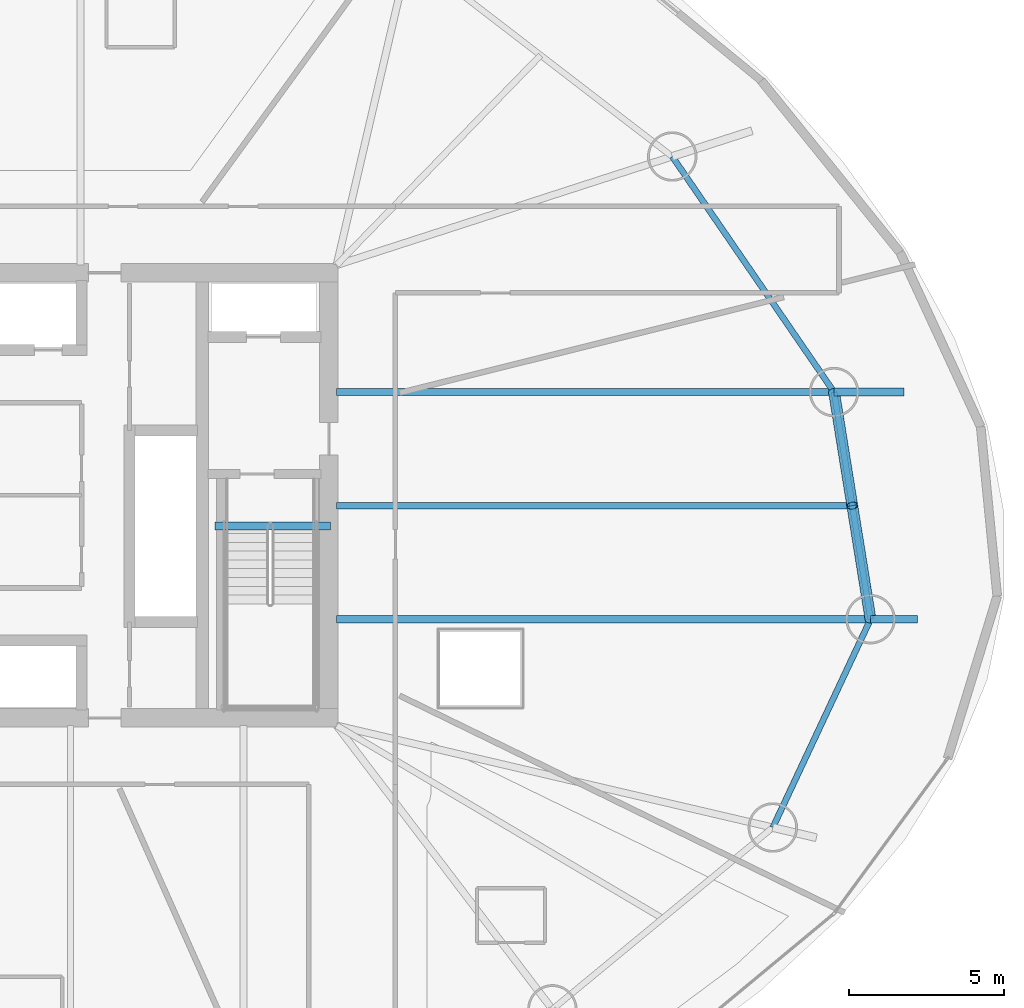
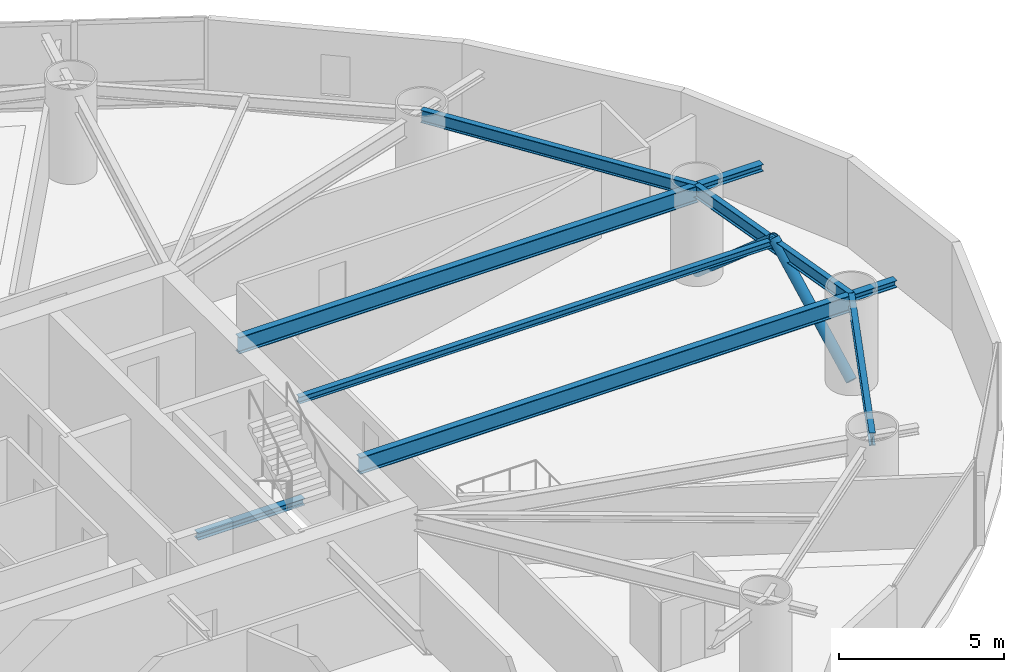
# One storey, part 9 of 20: 9 beams, 2 members.
"""IFC4 building model written with IfcOpenShell, lengths in metres."""

from ifc_helpers import new_model, si_unit, direction, frame, origin, origin_2d, place, context, subcontext, project, spatial, hollow_circle, i_section, extrude, material, material_profile, profile_set, type_object, element, save


model = new_model("IFC4")

# Units and contexts
model_context = context("Model", 3, precision=1e-05, world=origin(), true_north=direction((0.0, 1.0)))
body_context = subcontext(model_context, "Body", "Model", "MODEL_VIEW")
ifc_project = project(units=[si_unit("LENGTHUNIT", "METRE"), si_unit("AREAUNIT", "SQUARE_METRE"), si_unit("VOLUMEUNIT", "CUBIC_METRE"), si_unit("PLANEANGLEUNIT", "RADIAN"), si_unit("MASSUNIT", "GRAM", prefix="KILO")], contexts=[model_context])

# Site, building, storey
site_placement = place(None, origin())
site = spatial("IfcSite", under=ifc_project, at=site_placement, CompositionType="ELEMENT")
building_placement = place(site_placement, origin())
building = spatial("IfcBuilding", under=site, at=building_placement, Name="Bramvorn Convention Spire", CompositionType="ELEMENT")
storey_placement = place(building_placement, frame((0.0, 0.0, 58.89990234375)))
storey = spatial("IfcBuildingStorey", under=building, at=storey_placement, Name="L12", CompositionType="ELEMENT", Elevation=58.89990234375)

# Beams
ifc_material = material(Name="Steel CSA G40.21 Grade 350 (350W)", Category="steel")
ifc_material_profile_1 = material_profile(ifc_material, i_section(OverallWidth=0.201904296875, OverallDepth=0.2470703125, WebThickness=0.00732421875, FlangeThickness=0.010986328125, FilletRadius=0.011962890625, at=origin_2d()))
ifc_profile_set_1 = profile_set([ifc_material_profile_1], Name="Steel CSA G40.21 Grade 350 (350W) - W250X49")
beam_type_1 = type_object("IfcBeamType", Name="BM-W250X49", PredefinedType="JOIST", material=ifc_profile_set_1)
beam_1_placement = place(storey_placement, frame((49.25, 25.666015625, 3.126708984375), z_axis=(1.0, 0.0, 0.0), x_axis=(0.0, 1.0, 0.0)))
element("IfcBeam", 1, at=beam_1_placement, inside=storey, type_object=beam_type_1, Name="L12 composite floor joist 01", PredefinedType="JOIST", context=body_context, shape_type="SweptSolid", body=[
    extrude(i_section(OverallWidth=0.201904296875, OverallDepth=0.2470703125, WebThickness=0.00732421875, FlangeThickness=0.010986328125, FilletRadius=0.011962890625, at=origin_2d()), origin(), (0.0, 0.0, 1.0), 16.67919921875),
])
ifc_material_profile_2 = material_profile(ifc_material, i_section(OverallWidth=0.25390625, OverallDepth=0.2529296875, WebThickness=0.008544921875, FlangeThickness=0.01416015625, FilletRadius=0.011962890625, at=origin_2d()))
ifc_profile_set_2 = profile_set([ifc_material_profile_2], Name="Steel CSA G40.21 Grade 350 (350W) - W250X73")
beam_type_2 = type_object("IfcBeamType", Name="BM-W250X73", PredefinedType="BEAM", material=ifc_profile_set_2)
beam_2_placement = place(storey_placement, frame((66.519775390625, 21.99169921875, 3.12353515625), z_axis=(1.0, 0.0, 0.0), x_axis=(0.0, 1.0, 0.0)))
element("IfcBeam", 2, at=beam_2_placement, inside=storey, type_object=beam_type_2, Name="L12 slab-edge cantilever tip beam MC01", PredefinedType="BEAM", context=body_context, shape_type="SweptSolid", body=[
    extrude(i_section(OverallWidth=0.25390625, OverallDepth=0.2529296875, WebThickness=0.008544921875, FlangeThickness=0.01416015625, FilletRadius=0.011962890625, at=origin_2d()), origin(), (0.0, 0.0, 1.0), 1.526611328125),
])
beam_3_placement = place(storey_placement, frame((65.338623046875, 29.340087890625, 3.12353515625), z_axis=(1.0, 0.0, 0.0), x_axis=(0.0, 1.0, 0.0)))
element("IfcBeam", 3, at=beam_3_placement, inside=storey, type_object=beam_type_2, Name="L12 slab-edge cantilever tip beam MC02", PredefinedType="BEAM", context=body_context, shape_type="SweptSolid", body=[
    extrude(i_section(OverallWidth=0.25390625, OverallDepth=0.2529296875, WebThickness=0.008544921875, FlangeThickness=0.01416015625, FilletRadius=0.011962890625, at=origin_2d()), origin(), (0.0, 0.0, 1.0), 2.26416015625),
])
beam_4_placement = place(storey_placement, frame((45.31005859375, 25.010009765625, -0.12646484375), z_axis=(1.0, 0.0, 0.0), x_axis=(0.0, 1.0, 0.0)))
element("IfcBeam", 4, at=beam_4_placement, inside=storey, type_object=beam_type_2, Name="L12 ST2 stair arrival header beam", PredefinedType="BEAM", context=body_context, shape_type="SweptSolid", body=[
    extrude(i_section(OverallWidth=0.25390625, OverallDepth=0.2529296875, WebThickness=0.008544921875, FlangeThickness=0.01416015625, FilletRadius=0.011962890625, at=origin_2d()), origin(), (0.0, 0.0, 1.0), 3.739990234375),
])
ifc_material_profile_3 = material_profile(ifc_material, i_section(OverallWidth=0.194091796875, OverallDepth=0.468994140625, WebThickness=0.0126953125, FlangeThickness=0.0205078125, FilletRadius=0.01806640625, at=origin_2d()))
ifc_profile_set_3 = profile_set([ifc_material_profile_3], Name="Steel CSA G40.21 Grade 350 (350W) - W460X106")
beam_type_3 = type_object("IfcBeamType", Name="BM-W460X106", PredefinedType="SPANDREL", material=ifc_profile_set_3)
beam_5_placement = place(storey_placement, frame((66.519775390625, 21.99169921875, 3.015625), z_axis=(-0.158699222824, 0.987326975563, 0.0), x_axis=(-0.987326975563, -0.158699222824, 0.0)))
element("IfcBeam", 5, at=beam_5_placement, inside=storey, type_object=beam_type_3, Name="L12 mega-column ring beam 01", PredefinedType="SPANDREL", context=body_context, shape_type="SweptSolid", body=[
    extrude(i_section(OverallWidth=0.194091796875, OverallDepth=0.468994140625, WebThickness=0.0126953125, FlangeThickness=0.0205078125, FilletRadius=0.01806640625, at=origin_2d()), origin(), (0.0, 0.0, 1.0), 7.442626953125),
])
beam_6_placement = place(storey_placement, frame((65.338623046875, 29.340087890625, 3.015625), z_axis=(-0.566129730789, 0.824316157743, 0.0), x_axis=(-0.824316157743, -0.566129730789, 0.0)))
element("IfcBeam", 6, at=beam_6_placement, inside=storey, type_object=beam_type_3, Name="L12 mega-column ring beam 02", PredefinedType="SPANDREL", context=body_context, shape_type="SweptSolid", body=[
    extrude(i_section(OverallWidth=0.194091796875, OverallDepth=0.468994140625, WebThickness=0.0126953125, FlangeThickness=0.0205078125, FilletRadius=0.01806640625, at=origin_2d()), origin(), (0.0, 0.0, 1.0), 9.244140625),
])
beam_7_placement = place(storey_placement, frame((63.35888671875, 15.253662109375, 3.015625), z_axis=(0.424701955478, 0.9053332254, 0.0), x_axis=(-0.9053332254, 0.424701955478, 0.0)))
element("IfcBeam", 7, at=beam_7_placement, inside=storey, type_object=beam_type_3, Name="L12 mega-column ring beam 16", PredefinedType="SPANDREL", context=body_context, shape_type="SweptSolid", body=[
    extrude(i_section(OverallWidth=0.194091796875, OverallDepth=0.468994140625, WebThickness=0.0126953125, FlangeThickness=0.0205078125, FilletRadius=0.01806640625, at=origin_2d()), origin(), (0.0, 0.0, 1.0), 7.442626953125),
])
ifc_material_profile_4 = material_profile(ifc_material, i_section(OverallWidth=0.22998046875, OverallDepth=0.616943359375, WebThickness=0.01318359375, FlangeThickness=0.022216796875, FilletRadius=0.02001953125, at=origin_2d()))
ifc_profile_set_4 = profile_set([ifc_material_profile_4], Name="Steel CSA G40.21 Grade 350 (350W) - W610X140")
beam_type_4 = type_object("IfcBeamType", Name="BM-W610X140", PredefinedType="BEAM", material=ifc_profile_set_4)
beam_8_placement = place(storey_placement, frame((49.25, 21.99169921875, 2.941650390625), z_axis=(1.0, 0.0, 0.0), x_axis=(0.0, 1.0, 0.0)))
element("IfcBeam", 8, at=beam_8_placement, inside=storey, type_object=beam_type_4, Name="L12 radial floor girder MC01", PredefinedType="BEAM", context=body_context, shape_type="SweptSolid", body=[
    extrude(i_section(OverallWidth=0.22998046875, OverallDepth=0.616943359375, WebThickness=0.01318359375, FlangeThickness=0.022216796875, FilletRadius=0.02001953125, at=origin_2d()), origin(), (0.0, 0.0, 1.0), 17.269775390625),
])
beam_9_placement = place(storey_placement, frame((49.25, 29.340087890625, 2.941650390625), z_axis=(1.0, 0.0, 0.0), x_axis=(0.0, 1.0, 0.0)))
element("IfcBeam", 9, at=beam_9_placement, inside=storey, type_object=beam_type_4, Name="L12 radial floor girder MC02", PredefinedType="BEAM", context=body_context, shape_type="SweptSolid", body=[
    extrude(i_section(OverallWidth=0.22998046875, OverallDepth=0.616943359375, WebThickness=0.01318359375, FlangeThickness=0.022216796875, FilletRadius=0.02001953125, at=origin_2d()), origin(), (0.0, 0.0, 1.0), 16.088623046875),
])

# Members
ifc_material_profile_5 = material_profile(ifc_material, hollow_circle(Radius=0.177734375, WallThickness=0.015869140625, at=origin_2d()))
ifc_profile_set_5 = profile_set([ifc_material_profile_5], Name="Steel CSA G40.21 Grade 350 (350W) - CHS356X16")
member_type = type_object("IfcMemberType", Name="MBR-CHS356X16", PredefinedType="BRACE", material=ifc_profile_set_5)
member_1_placement = place(storey_placement, frame((66.519775390625, 21.99169921875, 0.0), z_axis=(-0.119529553136, 0.743662577386, 0.657783138217), x_axis=(-0.987327801673, -0.158694083206, 0.0)))
element("IfcMember", 10, at=member_1_placement, inside=storey, type_object=member_type, Name="L12 perimeter Gothic lancet brace 1A", PredefinedType="BRACE", context=body_context, shape_type="SweptSolid", body=[
    extrude(hollow_circle(Radius=0.177734375, WallThickness=0.015869140625, at=origin_2d()), origin(), (0.0, 0.0, 1.0), 4.94091796875),
])
member_2_placement = place(storey_placement, frame((65.338623046875, 29.340087890625, 0.0), z_axis=(0.119533945519, -0.74364049033, 0.657807309939), x_axis=(0.987326149374, 0.158704362771, 0.0)))
element("IfcMember", 11, at=member_2_placement, inside=storey, type_object=member_type, Name="L12 perimeter Gothic lancet brace 1B", PredefinedType="BRACE", context=body_context, shape_type="SweptSolid", body=[
    extrude(hollow_circle(Radius=0.177734375, WallThickness=0.015869140625, at=origin_2d()), origin(), (0.0, 0.0, 1.0), 4.940673828125),
])

save(model, "model.ifc")
